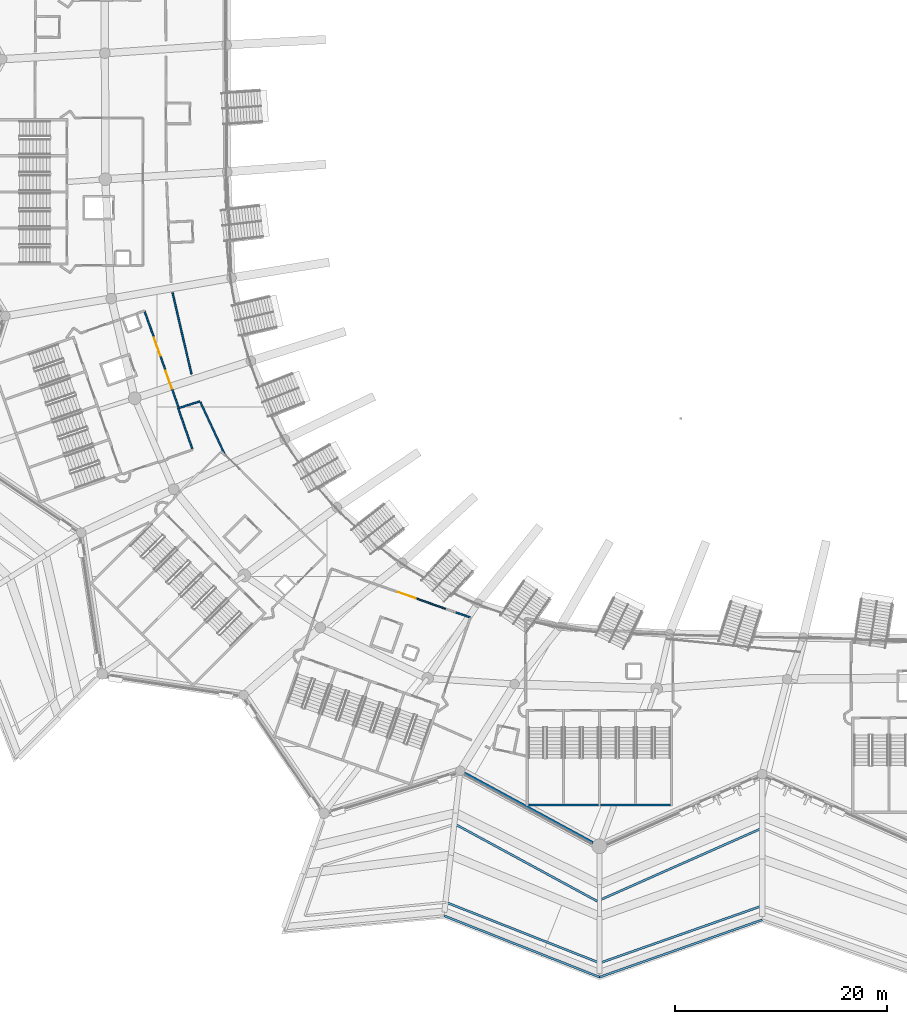
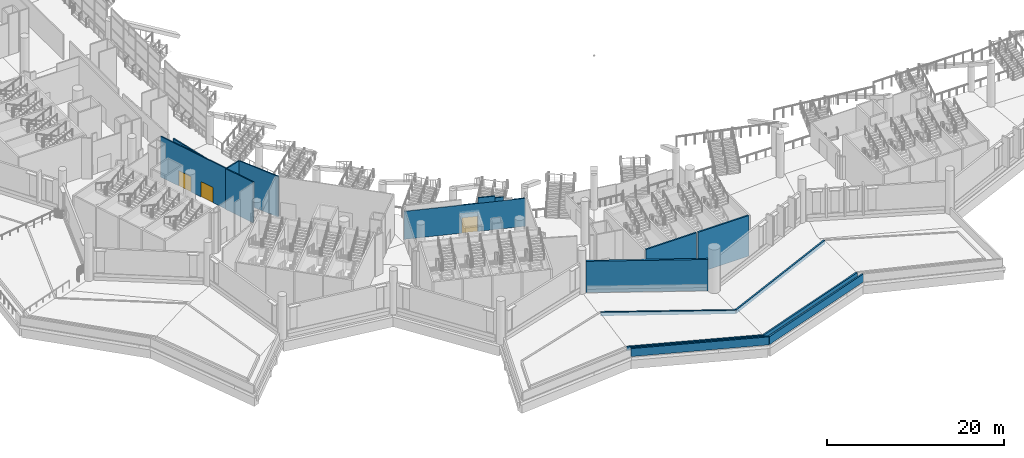
# One storey, part 44 of 173: 17 walls, 3 doors, 3 openings.
"""IFC4 building model written with IfcOpenShell, lengths in metres."""

from ifc_helpers import new_model, si_unit, direction, frame, frame_2d, origin, place, context, subcontext, project, spatial, rectangle, extrude, material, layer, layer_set, type_object, element, fill, save


model = new_model("IFC4")

# Units and contexts
model_context = context("Model", 3, precision=1e-05, world=origin(), true_north=direction((0.0, 1.0)))
body_context = subcontext(model_context, "Body", "Model", "MODEL_VIEW")
ifc_project = project(units=[si_unit("LENGTHUNIT", "METRE"), si_unit("AREAUNIT", "SQUARE_METRE"), si_unit("VOLUMEUNIT", "CUBIC_METRE"), si_unit("PLANEANGLEUNIT", "RADIAN"), si_unit("MASSUNIT", "GRAM", prefix="KILO")], contexts=[model_context])

# Site, building, storey
site_placement = place(None, origin())
site = spatial("IfcSite", under=ifc_project, at=site_placement, CompositionType="ELEMENT")
building_placement = place(site_placement, origin())
building = spatial("IfcBuilding", under=site, at=building_placement, Name="Meseta Stadium", CompositionType="ELEMENT")
storey_placement = place(building_placement, frame((0.0, 0.0, 18.0)))
storey = spatial("IfcBuildingStorey", under=building, at=storey_placement, Name="L03", CompositionType="ELEMENT", Elevation=18.0)

# Walls
ifc_material_1 = material(Name="Concrete C40/50", Category="concrete")
ifc_layer_1 = layer(ifc_material_1, 0.199951171875)
ifc_layer_set_1 = layer_set([ifc_layer_1], Name="Core shaft wall 200")
wall_type_1 = type_object("IfcWallType", Name="Core shaft wall 200", PredefinedType="SHEAR", material=ifc_layer_set_1)
wall_1_placement = place(storey_placement, frame((-45.033203125, -101.5, 0.0), z_axis=(0.0, 0.0, 1.0), x_axis=(1.0, 0.0, 0.0)))
element("IfcWall", 1, at=wall_1_placement, inside=storey, type_object=wall_type_1, Name="Core 23 L03 stair A outer end wall", PredefinedType="SHEAR", context=body_context, shape_type="SweptSolid", body=[
    extrude(rectangle(XDim=6.599853515625, YDim=0.199951171875, at=frame_2d((3.2998046875, 0.0))), origin(), (0.0, 0.0, 1.0), 5.60009765625),
])
wall_2_placement = place(storey_placement, frame((-38.2333984375, -101.5, 0.0), z_axis=(0.0, 0.0, 1.0), x_axis=(1.0, 0.0, 0.0)))
element("IfcWall", 2, at=wall_2_placement, inside=storey, type_object=wall_type_1, Name="Core 23 L03 stair B outer end wall", PredefinedType="SHEAR", context=body_context, shape_type="SweptSolid", body=[
    extrude(rectangle(XDim=6.60009765625, YDim=0.199951171875, at=frame_2d((3.300048828125, 0.0))), origin(), (0.0, 0.0, 1.0), 5.60009765625),
])
ifc_material_2 = material(Name="Masonry blockwork", Category="masonry")
ifc_layer_2 = layer(ifc_material_2, 0.14990234375)
ifc_layer_set_2 = layer_set([ifc_layer_2], Name="Partition 150")
wall_type_2 = type_object("IfcWallType", Name="Partition 150", PredefinedType="PARTITIONING", material=ifc_layer_set_2)
wall_3_placement = place(storey_placement, frame((-76.768310546875, -60.917724609375, 0.0), z_axis=(0.0, 0.0, 1.0), x_axis=(-0.226944673482, 0.973907652284, 0.0)))
element("IfcWall", 3, at=wall_3_placement, inside=storey, type_object=wall_type_2, Name="Partition L03 L03-cell18-0-0", PredefinedType="PARTITIONING", context=body_context, shape_type="SweptSolid", body=[
    extrude(rectangle(XDim=7.882080078125, YDim=0.14990234375, at=frame_2d((3.94091796875, 0.0))), origin(), (0.0, 0.0, 1.0), 3.332275390625),
])
wall_4_placement = place(storey_placement, frame((-76.6875, -67.96875, 0.0), z_axis=(0.0, 0.0, 1.0), x_axis=(-0.330235334568, 0.943898630046, 0.0)))
element("IfcWall", 4, at=wall_4_placement, inside=storey, type_object=wall_type_2, Name="Partition L03 L03-cell19-1-0w", PredefinedType="PARTITIONING", context=body_context, shape_type="SweptSolid", body=[
    extrude(rectangle(XDim=4.063232421875, YDim=0.14990234375, at=frame_2d((2.03173828125, 0.0))), origin(), (0.0, 0.0, 1.0), 5.60009765625),
])
wall_5_placement = place(storey_placement, frame((-77.957763671875, -64.111083984375, 0.0), z_axis=(0.0, 0.0, 1.0), x_axis=(0.954210746555, 0.299135172051, 0.0)))
element("IfcWall", 5, at=wall_5_placement, inside=storey, type_object=wall_type_2, Name="Partition L03 L03-cell19-1-0w", PredefinedType="PARTITIONING", context=body_context, shape_type="SweptSolid", body=[
    extrude(rectangle(XDim=2.08447265625, YDim=0.14990234375, at=frame_2d((1.042236328125, 0.0))), origin(), (0.0, 0.0, 1.0), 5.60009765625),
])
wall_6_placement = place(storey_placement, frame((-75.936767578125, -63.55615234375, 0.0), z_axis=(0.0, 0.0, 1.0), x_axis=(0.422630512429, -0.906302074346, 0.0)))
element("IfcWall", 6, at=wall_6_placement, inside=storey, type_object=wall_type_2, Name="Partition L03 L03-cell19-1-0w", PredefinedType="PARTITIONING", context=body_context, shape_type="SweptSolid", body=[
    extrude(rectangle(XDim=5.347412109375, YDim=0.14990234375, at=frame_2d((2.673828125, 0.0))), origin(), (0.0, 0.0, 1.0), 5.60009765625),
])

# Wall, openings, doors
wall_7_placement = place(storey_placement, frame((-77.991455078125, -64.04248046875, 0.0), z_axis=(0.0, 0.0, 1.0), x_axis=(-0.332353446369, 0.943154911288, 0.0)))
wall_7 = element("IfcWall", 7, at=wall_7_placement, inside=storey, type_object=wall_type_2, Name="Stair vestibule wall L03 core 20", PredefinedType="PARTITIONING", context=body_context, shape_type="SweptSolid", body=[
    extrude(rectangle(XDim=9.63330078125, YDim=0.14990234375, at=frame_2d((4.816650390625, 0.0))), origin(), (0.0, 0.0, 1.0), 5.60009765625),
])
opening_1_placement = place(wall_7_placement, frame((5.14990234375, 0.0, 0.0)))
opening_1 = element("IfcOpeningElement", 8, at=opening_1_placement, cuts=wall_7, Name="Opening D1324", PredefinedType="OPENING", context=body_context, shape_type="SweptSolid", body=[
    extrude(rectangle(XDim=1.800048828125, YDim=2.10009765625, at=frame_2d((0.89990234375, 1.050048828125))), frame((0.0, 0.0849609375, 0.0), z_axis=(0.0, -1.0, 0.0), x_axis=(1.0, 0.0, 0.0)), (0.0, 0.0, 1.0), 0.169921875),
])
opening_2_placement = place(wall_7_placement, frame((1.85009765625, 0.0, 0.0)))
opening_2 = element("IfcOpeningElement", 9, at=opening_2_placement, cuts=wall_7, Name="Opening D1330", PredefinedType="OPENING", context=body_context, shape_type="SweptSolid", body=[
    extrude(rectangle(XDim=1.800048828125, YDim=2.10009765625, at=frame_2d((0.89990234375, 1.050048828125))), frame((0.0, 0.0849609375, 0.0), z_axis=(0.0, -1.0, 0.0), x_axis=(1.0, 0.0, 0.0)), (0.0, 0.0, 1.0), 0.169921875),
])
ifc_material_3 = material(Name="Steel", Category="steel")
door_type = type_object("IfcDoorType", Name="Fire double door 1800x2100 EI2 60", OperationType="DOUBLE_DOOR_SINGLE_SWING", PredefinedType="DOOR", material=ifc_material_3)
door_1_placement = place(opening_1_placement, origin())
door_1 = element("IfcDoor", 10, at=door_1_placement, inside=storey, type_object=door_type, Name="Stair vestibule door L03 core 20", OperationType="DOUBLE_DOOR_SINGLE_SWING", OverallHeight=2.10009765625, OverallWidth=1.800048828125, PredefinedType="DOOR", context=body_context, shape_type="SweptSolid", body=[
    extrude(rectangle(XDim=1.800048828125, YDim=2.10009765625, at=frame_2d((0.89990234375, 1.050048828125))), frame((0.0, 0.02490234375, 0.0), z_axis=(0.0, -1.0, 0.0), x_axis=(1.0, 0.0, 0.0)), (0.0, 0.0, 1.0), 0.050048828125),
])
fill(opening_1, door_1)
door_2_placement = place(opening_2_placement, origin())
door_2 = element("IfcDoor", 11, at=door_2_placement, inside=storey, type_object=door_type, Name="Stair vestibule door L03 core 20", OperationType="DOUBLE_DOOR_SINGLE_SWING", OverallHeight=2.10009765625, OverallWidth=1.800048828125, PredefinedType="DOOR", context=body_context, shape_type="SweptSolid", body=[
    extrude(rectangle(XDim=1.800048828125, YDim=2.10009765625, at=frame_2d((0.89990234375, 1.050048828125))), frame((0.0, 0.02490234375, 0.0), z_axis=(0.0, -1.0, 0.0), x_axis=(1.0, 0.0, 0.0)), (0.0, 0.0, 1.0), 0.050048828125),
])
fill(opening_2, door_2)

# Wall, opening, door
wall_8_placement = place(storey_placement, frame((-50.4853515625, -83.84619140625, 0.0), z_axis=(0.0, 0.0, 1.0), x_axis=(-0.943882193915, 0.330282309563, 0.0)))
wall_8 = element("IfcWall", 12, at=wall_8_placement, inside=storey, type_object=wall_type_2, Name="Stair vestibule wall L03 core 22", PredefinedType="PARTITIONING", context=body_context, shape_type="SweptSolid", body=[
    extrude(rectangle(XDim=13.89013671875, YDim=0.14990234375, at=frame_2d((6.945068359375, 0.0))), origin(), (0.0, 0.0, 1.0), 3.8544921875),
])
opening_3_placement = place(wall_8_placement, frame((5.449951171875, 0.0, 0.0)))
opening_3 = element("IfcOpeningElement", 13, at=opening_3_placement, cuts=wall_8, Name="Opening D1361", PredefinedType="OPENING", context=body_context, shape_type="SweptSolid", body=[
    extrude(rectangle(XDim=1.800048828125, YDim=2.10009765625, at=frame_2d((0.89990234375, 1.050048828125))), frame((0.0, 0.0849609375, 0.0), z_axis=(0.0, -1.0, 0.0), x_axis=(1.0, 0.0, 0.0)), (0.0, 0.0, 1.0), 0.169921875),
])
door_3_placement = place(opening_3_placement, origin())
door_3 = element("IfcDoor", 14, at=door_3_placement, inside=storey, type_object=door_type, Name="Stair vestibule door L03 core 22", OperationType="DOUBLE_DOOR_SINGLE_SWING", OverallHeight=2.10009765625, OverallWidth=1.800048828125, PredefinedType="DOOR", context=body_context, shape_type="SweptSolid", body=[
    extrude(rectangle(XDim=1.800048828125, YDim=2.10009765625, at=frame_2d((0.89990234375, 1.050048828125))), frame((0.0, 0.02490234375, 0.0), z_axis=(0.0, -1.0, 0.0), x_axis=(1.0, 0.0, 0.0)), (0.0, 0.0, 1.0), 0.050048828125),
])
fill(opening_3, door_3)

# Walls
wall_9_placement = place(storey_placement, frame((-52.82666015625, -83.027099609375, 3.8544921875), z_axis=(0.0, 0.0, 1.0), x_axis=(-0.943827665198, 0.33043810072, 0.0)))
element("IfcWall", 15, at=wall_9_placement, inside=storey, type_object=wall_type_2, Name="Stair vestibule wall L03 core 22", PredefinedType="PARTITIONING", context=body_context, shape_type="SweptSolid", body=[
    extrude(rectangle(XDim=0.9921875, YDim=0.14990234375, at=frame_2d((0.49609375, 0.0))), origin(), (0.0, 0.0, 1.0), 0.505126953125),
])
wall_10_placement = place(storey_placement, frame((-53.76318359375, -82.69921875, 3.8544921875), z_axis=(0.0, 0.0, 1.0), x_axis=(-0.943905740146, 0.330215011347, 0.0)))
element("IfcWall", 16, at=wall_10_placement, inside=storey, type_object=wall_type_2, Name="Stair vestibule wall L03 core 22", PredefinedType="PARTITIONING", context=body_context, shape_type="SweptSolid", body=[
    extrude(rectangle(XDim=1.927490234375, YDim=0.14990234375, at=frame_2d((0.9638671875, 0.0))), origin(), (0.0, 0.0, 1.0), 0.757568359375),
])
ifc_material_4 = material(Name="Precast concrete C40/50", Category="concrete")
ifc_layer_3 = layer(ifc_material_4, 0.199951171875)
ifc_layer_set_3 = layer_set([ifc_layer_3], Name="Planter kerb 200")
wall_type_3 = type_object("IfcWallType", Name="Planter kerb 200", PredefinedType="USERDEFINED", material=ifc_layer_set_3)
wall_11_placement = place(storey_placement, frame((-51.93359375, -103.31689453125, 0.0), z_axis=(0.0, 0.0, 1.0), x_axis=(0.879141213547, -0.476561356641, 0.0)))
element("IfcWall", 17, at=wall_11_placement, inside=storey, type_object=wall_type_3, Name="Planter kerb 6.1.4", ObjectType="PLANTER", PredefinedType="USERDEFINED", context=body_context, shape_type="SweptSolid", body=[
    extrude(rectangle(XDim=15.236083984375, YDim=0.199951171875, at=frame_2d((7.6181640625, 0.0))), origin(), (0.0, 0.0, 1.0), 0.5),
])
wall_12_placement = place(storey_placement, frame((-38.538818359375, -110.577880859375, 0.0), z_axis=(0.0, 0.0, 1.0), x_axis=(0.91413937024, 0.405400063859, 0.0)))
element("IfcWall", 18, at=wall_12_placement, inside=storey, type_object=wall_type_3, Name="Planter kerb 6.1.5", ObjectType="PLANTER", PredefinedType="USERDEFINED", context=body_context, shape_type="SweptSolid", body=[
    extrude(rectangle(XDim=16.998291015625, YDim=0.199951171875, at=frame_2d((8.4990234375, 0.0))), origin(), (0.0, 0.0, 1.0), 0.5),
])
wall_13_placement = place(storey_placement, frame((-23.0, -111.009765625, 0.0), z_axis=(0.0, 0.0, 1.0), x_axis=(-0.943218739591, -0.332172258451, 0.0)))
element("IfcWall", 19, at=wall_13_placement, inside=storey, type_object=wall_type_3, Name="Planter kerb 6.1.9", ObjectType="PLANTER", PredefinedType="USERDEFINED", context=body_context, shape_type="SweptSolid", body=[
    extrude(rectangle(XDim=16.224609375, YDim=0.199951171875, at=frame_2d((8.1123046875, 0.0))), origin(), (0.0, 0.0, 1.0), 0.5),
])
wall_14_placement = place(storey_placement, frame((-38.303466796875, -116.399169921875, 0.0), z_axis=(0.0, 0.0, 1.0), x_axis=(-0.930141557345, 0.367201148281, 0.0)))
element("IfcWall", 20, at=wall_14_placement, inside=storey, type_object=wall_type_3, Name="Planter kerb 6.1.10", ObjectType="PLANTER", PredefinedType="USERDEFINED", context=body_context, shape_type="SweptSolid", body=[
    extrude(rectangle(XDim=15.5771484375, YDim=0.199951171875, at=frame_2d((7.78857421875, 0.0))), origin(), (0.0, 0.0, 1.0), 0.5),
])
ifc_material_5 = material(Name="White precast concrete C40/50", Category="concrete")
ifc_layer_4 = layer(ifc_material_5, 0.25)
ifc_layer_set_4 = layer_set([ifc_layer_4], Name="Pleated panel wall 250")
wall_type_4 = type_object("IfcWallType", Name="Pleated panel wall 250", PredefinedType="SOLIDWALL", material=ifc_layer_set_4)
wall_15_placement = place(storey_placement, frame((-38.948486328125, -105.06640625, 0.0), z_axis=(0.0, 0.0, 1.0), x_axis=(-0.879144247164, 0.476555760304, 0.0)))
element("IfcWall", 21, at=wall_15_placement, inside=storey, type_object=wall_type_4, Name="Pleated facade panel L03 F43", PredefinedType="SOLIDWALL", context=body_context, shape_type="SweptSolid", body=[
    extrude(rectangle(XDim=13.760498046875, YDim=0.25, at=frame_2d((6.88037109375, 0.0))), origin(), (0.0, 0.0, 1.0), 4.300048828125),
])
ifc_material_6 = material(Name="Concrete C40/50", Category="concrete")
ifc_layer_5 = layer(ifc_material_6, 0.199951171875)
ifc_layer_set_5 = layer_set([ifc_layer_5], Name="Roof parapet 200")
wall_type_5 = type_object("IfcWallType", Name="Roof parapet 200", PredefinedType="PARAPET", material=ifc_layer_set_5)
wall_16_placement = place(storey_placement, frame((-23.0, -112.3349609375, 0.0), z_axis=(0.0, 0.0, 1.0), x_axis=(-0.943218368796, -0.332173311339, 0.0)))
element("IfcWall", 22, at=wall_16_placement, inside=storey, type_object=wall_type_5, Name="Roof parapet 6.41.1", PredefinedType="PARAPET", context=body_context, shape_type="SweptSolid", body=[
    extrude(rectangle(XDim=16.251220703125, YDim=0.199951171875, at=frame_2d((8.12548828125, 0.0))), origin(), (0.0, 0.0, 1.0), 1.10009765625),
])
wall_17_placement = place(storey_placement, frame((-38.328369140625, -117.733154296875, 0.0), z_axis=(0.0, 0.0, 1.0), x_axis=(-0.930144071805, 0.367194778947, 0.0)))
element("IfcWall", 23, at=wall_17_placement, inside=storey, type_object=wall_type_5, Name="Roof parapet 6.42.1", PredefinedType="PARAPET", context=body_context, shape_type="SweptSolid", body=[
    extrude(rectangle(XDim=15.744384765625, YDim=0.199951171875, at=frame_2d((7.8720703125, 0.0))), origin(), (0.0, 0.0, 1.0), 1.10009765625),
])

save(model, "model.ifc")
